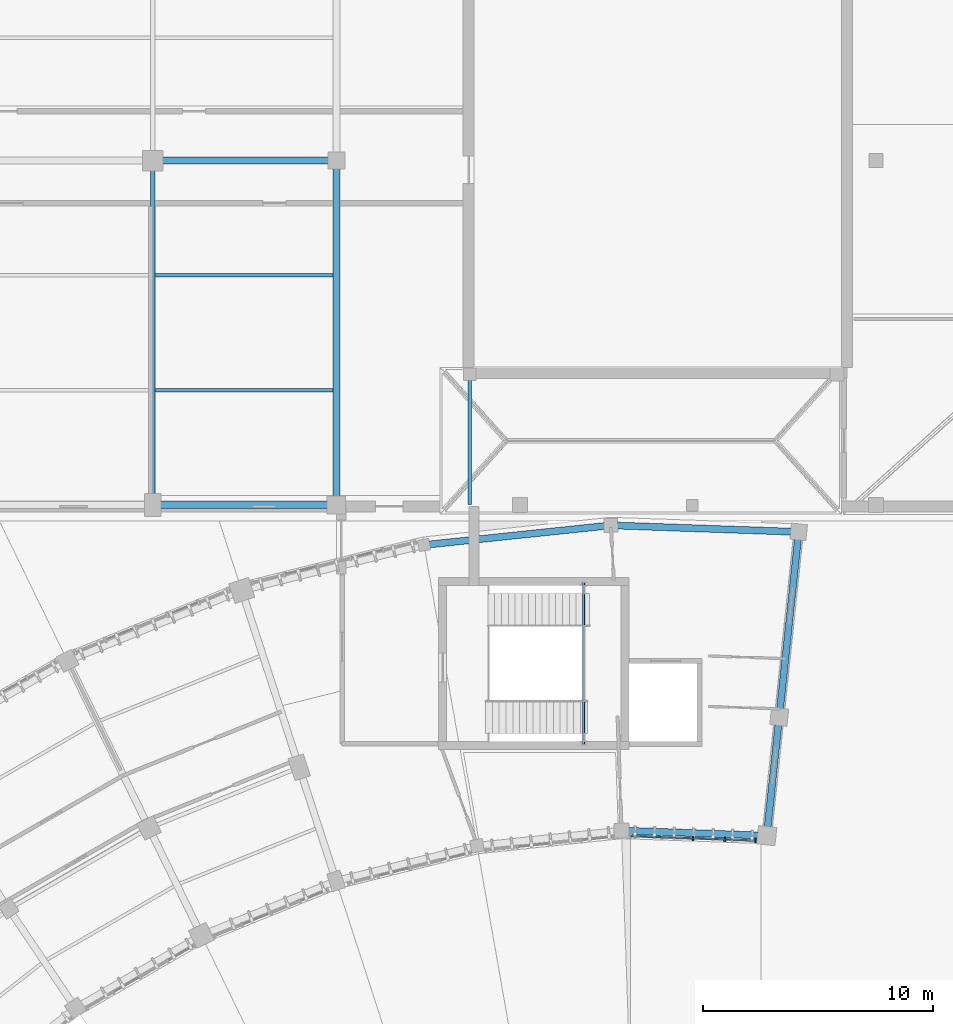
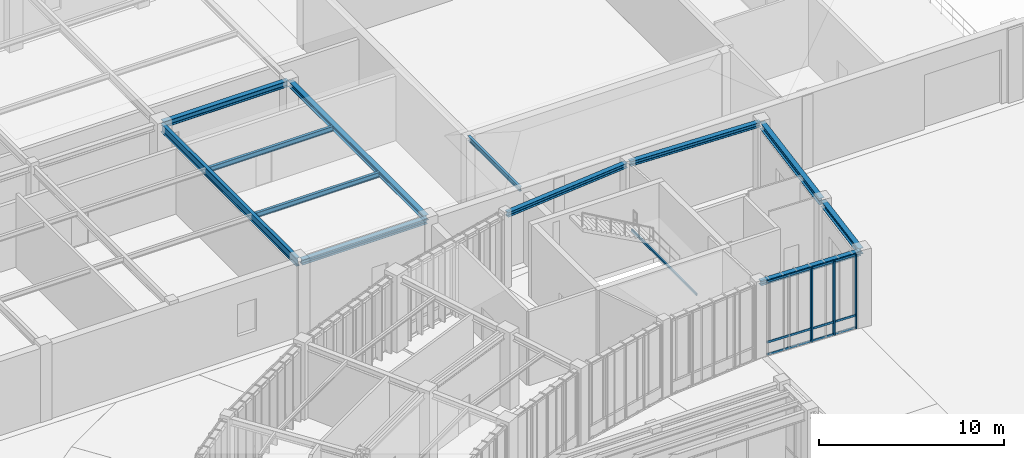
# One storey, part 18 of 68: 12 beams, 7 members, 1 element without a shape of its own.
"""IFC4 building model written with IfcOpenShell, lengths in metres."""

from ifc_helpers import new_model, si_unit, direction, frame, origin, origin_2d, place, context, subcontext, project, spatial, rectangle, hollow_rectangle, i_section, extrude, material, layer, layer_set, material_profile, profile_set, type_object, element, aggregate, save


model = new_model("IFC4")

# Units and contexts
model_context = context("Model", 3, precision=1e-05, world=origin(), true_north=direction((0.0, 1.0)))
body_context = subcontext(model_context, "Body", "Model", "MODEL_VIEW")
ifc_project = project(units=[si_unit("LENGTHUNIT", "METRE"), si_unit("AREAUNIT", "SQUARE_METRE"), si_unit("VOLUMEUNIT", "CUBIC_METRE"), si_unit("PLANEANGLEUNIT", "RADIAN"), si_unit("MASSUNIT", "GRAM", prefix="KILO"), si_unit("THERMODYNAMICTEMPERATUREUNIT", "KELVIN"), si_unit("POWERUNIT", "WATT")], contexts=[model_context])

# Site, building, storey
site_placement = place(None, origin())
site = spatial("IfcSite", under=ifc_project, at=site_placement, CompositionType="ELEMENT")
building_placement = place(site_placement, origin())
building = spatial("IfcBuilding", under=site, at=building_placement, Name="Solvatero Civic Police Headquarters", CompositionType="ELEMENT")
storey_placement = place(building_placement, origin())
storey = spatial("IfcBuildingStorey", under=building, at=storey_placement, Name="L00", CompositionType="ELEMENT", Elevation=0.0)

# Beams
ifc_material_1 = material(Name="Steel S355", Category="steel")
ifc_material_profile_1 = material_profile(ifc_material_1, i_section(OverallWidth=0.300048828125, OverallDepth=0.2900390625, WebThickness=0.008544921875, FlangeThickness=0.013916015625, FilletRadius=0.027099609375, at=origin_2d()), Name="HEA 300")
ifc_profile_set_1 = profile_set([ifc_material_profile_1], Name="Steel S355")
beam_type_1 = type_object("IfcBeamType", Name="BM-ST-HEA300", PredefinedType="SPANDREL", material=ifc_profile_set_1)
beam_1_placement = place(storey_placement, frame((98.640380859375, 71.10498046875, 4.735107421875), z_axis=(-0.999390615504, 0.034905553175, 0.0), x_axis=(-0.034905553175, -0.999390615504, 0.0)))
element("IfcBeam", 1, at=beam_1_placement, inside=storey, type_object=beam_type_1, Name="Perimeter / radial spandrel beam BM-R2-L00-ARC-CIN-B01", PredefinedType="SPANDREL", context=body_context, shape_type="SweptSolid", body=[
    extrude(i_section(OverallWidth=0.300048828125, OverallDepth=0.2900390625, WebThickness=0.008544921875, FlangeThickness=0.013916015625, FilletRadius=0.027099609375, at=origin_2d()), origin(), (0.0, 0.0, 1.0), 6.126953125),
])
ifc_material_profile_2 = material_profile(ifc_material_1, i_section(OverallWidth=0.300048828125, OverallDepth=0.31005859375, WebThickness=0.009033203125, FlangeThickness=0.015380859375, FilletRadius=0.027099609375, at=origin_2d()), Name="HEA 320")
ifc_profile_set_2 = profile_set([ifc_material_profile_2], Name="Steel S355")
beam_type_2 = type_object("IfcBeamType", Name="BM-ST-HEA320", PredefinedType="SPANDREL", material=ifc_profile_set_2)
beam_2_placement = place(storey_placement, frame((100.03076171875, 84.332275390625, 4.72509765625), z_axis=(-0.999390940069, 0.034896259223, 0.0), x_axis=(-0.034896259223, -0.999390940069, 0.0)))
element("IfcBeam", 2, at=beam_2_placement, inside=storey, type_object=beam_type_2, Name="Perimeter / radial spandrel beam BM-R2-L00-ARC-COUT-B01", PredefinedType="SPANDREL", context=body_context, shape_type="SweptSolid", body=[
    extrude(i_section(OverallWidth=0.300048828125, OverallDepth=0.31005859375, WebThickness=0.009033203125, FlangeThickness=0.015380859375, FilletRadius=0.027099609375, at=origin_2d()), origin(), (0.0, 0.0, 1.0), 7.982666015625),
])
beam_3_placement = place(storey_placement, frame((91.853515625, 84.603759765625, 4.72509765625), z_axis=(-0.994523705386, -0.10451124066, 0.0), x_axis=(0.10451124066, -0.994523705386, 0.0)))
element("IfcBeam", 3, at=beam_3_placement, inside=storey, type_object=beam_type_2, Name="Perimeter / radial spandrel beam BM-R2-L00-ARC-COUT-B02", PredefinedType="SPANDREL", context=body_context, shape_type="SweptSolid", body=[
    extrude(i_section(OverallWidth=0.300048828125, OverallDepth=0.31005859375, WebThickness=0.009033203125, FlangeThickness=0.015380859375, FilletRadius=0.027099609375, at=origin_2d()), origin(), (0.0, 0.0, 1.0), 7.982177734375),
])
ifc_material_profile_3 = material_profile(ifc_material_1, i_section(OverallWidth=0.300048828125, OverallDepth=0.35009765625, WebThickness=0.010009765625, FlangeThickness=0.017578125, FilletRadius=0.027099609375, at=origin_2d()), Name="HEA 360")
ifc_profile_set_3 = profile_set([ifc_material_profile_3], Name="Steel S355")
beam_type_3 = type_object("IfcBeamType", Name="BM-ST-HEA360", PredefinedType="SPANDREL", material=ifc_profile_set_3)
beam_4_placement = place(storey_placement, frame((72.10009765625, 85.5, 4.68505859375), z_axis=(1.0, 0.0, 0.0), x_axis=(0.0, 1.0, 0.0)))
element("IfcBeam", 4, at=beam_4_placement, inside=storey, type_object=beam_type_3, Name="Perimeter / radial spandrel beam BM-R2-L00-V7-GX-6-1", PredefinedType="SPANDREL", context=body_context, shape_type="SweptSolid", body=[
    extrude(i_section(OverallWidth=0.300048828125, OverallDepth=0.35009765625, WebThickness=0.010009765625, FlangeThickness=0.017578125, FilletRadius=0.027099609375, at=origin_2d()), origin(), (0.0, 0.0, 1.0), 7.7998046875),
])
beam_5_placement = place(storey_placement, frame((80.0, 85.659912109375, 4.68505859375), z_axis=(0.0, 1.0, 0.0), x_axis=(-1.0, 0.0, 0.0)))
element("IfcBeam", 5, at=beam_5_placement, inside=storey, type_object=beam_type_3, Name="Perimeter / radial spandrel beam BM-R2-L00-V7-GY-7-1", PredefinedType="SPANDREL", context=body_context, shape_type="SweptSolid", body=[
    extrude(i_section(OverallWidth=0.300048828125, OverallDepth=0.35009765625, WebThickness=0.010009765625, FlangeThickness=0.017578125, FilletRadius=0.027099609375, at=origin_2d()), origin(), (0.0, 0.0, 1.0), 14.68017578125),
])
ifc_material_profile_4 = material_profile(ifc_material_1, i_section(OverallWidth=0.300048828125, OverallDepth=0.389892578125, WebThickness=0.010986328125, FlangeThickness=0.01904296875, FilletRadius=0.027099609375, at=origin_2d()), Name="HEA 400")
ifc_profile_set_4 = profile_set([ifc_material_profile_4], Name="Steel S355")
beam_type_4 = type_object("IfcBeamType", Name="BM-ST-HEA400", PredefinedType="BEAM", material=ifc_profile_set_4)
beam_6_placement = place(storey_placement, frame((98.7509765625, 71.201171875, 4.68505859375), z_axis=(0.104496685935, 0.994525234787, 0.0), x_axis=(-0.994525234787, 0.104496685935, 0.0)))
element("IfcBeam", 6, at=beam_6_placement, inside=storey, type_object=beam_type_4, Name="Primary girder BM-R2-L00-ARC-RAD1-S00", PredefinedType="BEAM", context=body_context, shape_type="SweptSolid", body=[
    extrude(i_section(OverallWidth=0.300048828125, OverallDepth=0.389892578125, WebThickness=0.010986328125, FlangeThickness=0.01904296875, FilletRadius=0.027099609375, at=origin_2d()), origin(), (0.0, 0.0, 1.0), 4.999755859375),
])
ifc_material_profile_5 = material_profile(ifc_material_1, i_section(OverallWidth=0.300048828125, OverallDepth=0.43994140625, WebThickness=0.011474609375, FlangeThickness=0.02099609375, FilletRadius=0.027099609375, at=origin_2d()), Name="HEA 450")
ifc_profile_set_5 = profile_set([ifc_material_profile_5], Name="Steel S355")
beam_type_5 = type_object("IfcBeamType", Name="BM-ST-HEA450", PredefinedType="BEAM", material=ifc_profile_set_5)
beam_7_placement = place(storey_placement, frame((99.29443359375, 76.37255859375, 4.659912109375), z_axis=(0.104517477854, 0.99452304992, 0.0), x_axis=(-0.99452304992, 0.104517477854, 0.0)))
element("IfcBeam", 7, at=beam_7_placement, inside=storey, type_object=beam_type_5, Name="Primary girder BM-R2-L00-ARC-RAD2-S00", PredefinedType="BEAM", context=body_context, shape_type="SweptSolid", body=[
    extrude(i_section(OverallWidth=0.300048828125, OverallDepth=0.43994140625, WebThickness=0.011474609375, FlangeThickness=0.02099609375, FilletRadius=0.027099609375, at=origin_2d()), origin(), (0.0, 0.0, 1.0), 7.89990234375),
])
ifc_material_profile_6 = material_profile(ifc_material_1, i_section(OverallWidth=0.300048828125, OverallDepth=0.39990234375, WebThickness=0.013427734375, FlangeThickness=0.02392578125, FilletRadius=0.027099609375, at=origin_2d()), Name="HEB 400")
ifc_profile_set_6 = profile_set([ifc_material_profile_6], Name="Steel S355")
beam_type_6 = type_object("IfcBeamType", Name="BM-ST-HEB400", PredefinedType="BEAM", material=ifc_profile_set_6)
beam_8_placement = place(storey_placement, frame((72.10009765625, 100.5, 4.659912109375), z_axis=(1.0, 0.0, 0.0), x_axis=(0.0, 1.0, 0.0)))
element("IfcBeam", 8, at=beam_8_placement, inside=storey, type_object=beam_type_6, Name="Primary girder BM-R2-L00-V7-GX-6-2", PredefinedType="BEAM", context=body_context, shape_type="SweptSolid", body=[
    extrude(i_section(OverallWidth=0.300048828125, OverallDepth=0.39990234375, WebThickness=0.013427734375, FlangeThickness=0.02392578125, FilletRadius=0.027099609375, at=origin_2d()), origin(), (0.0, 0.0, 1.0), 7.7998046875),
])
ifc_material_profile_7 = material_profile(ifc_material_1, i_section(OverallWidth=0.14990234375, OverallDepth=0.300048828125, WebThickness=0.007080078125, FlangeThickness=0.0107421875, FilletRadius=0.014892578125, at=origin_2d()), Name="IPE 300")
ifc_profile_set_7 = profile_set([ifc_material_profile_7], Name="Steel S355")
beam_type_7 = type_object("IfcBeamType", Name="BM-ST-IPE300", PredefinedType="BEAM", material=ifc_profile_set_7)
beam_9_placement = place(storey_placement, frame((85.800048828125, 85.52001953125, 4.639892578125), z_axis=(0.0, 1.0, 0.0), x_axis=(-1.0, 0.0, 0.0)))
element("IfcBeam", 9, at=beam_9_placement, inside=storey, type_object=beam_type_7, Name="Composite floor beam BM-R2-L00-CUSYS-W", PredefinedType="BEAM", context=body_context, shape_type="SweptSolid", body=[
    extrude(i_section(OverallWidth=0.14990234375, OverallDepth=0.300048828125, WebThickness=0.007080078125, FlangeThickness=0.0107421875, FilletRadius=0.014892578125, at=origin_2d()), origin(), (0.0, 0.0, 1.0), 5.60009765625),
])
ifc_material_profile_8 = material_profile(ifc_material_1, i_section(OverallWidth=0.159912109375, OverallDepth=0.330078125, WebThickness=0.007568359375, FlangeThickness=0.011474609375, FilletRadius=0.01806640625, at=origin_2d()), Name="IPE 330")
ifc_profile_set_8 = profile_set([ifc_material_profile_8], Name="Steel S355")
beam_type_8 = type_object("IfcBeamType", Name="BM-ST-IPE330", PredefinedType="BEAM", material=ifc_profile_set_8)
for number, where, z_axis, x_axis, name in (
    (10, (72.10498046875, 90.5, 4.695068359375), (1.0, 0.0, 0.0), (0.0, 1.0, 0.0), "Composite floor beam BM-R2-L00-V7-SEC-6-1-S1"),
    (11, (72.10498046875, 95.5, 4.695068359375), (1.0, 0.0, 0.0), (0.0, 1.0, 0.0), "Composite floor beam BM-R2-L00-V7-SEC-6-1-S2"),
):
    element("IfcBeam", number, at=place(storey_placement, frame(where, z_axis=z_axis, x_axis=x_axis)), inside=storey, type_object=beam_type_8, Name=name, PredefinedType="BEAM", context=body_context, shape_type="SweptSolid", body=[
        extrude(i_section(OverallWidth=0.159912109375, OverallDepth=0.330078125, WebThickness=0.007568359375, FlangeThickness=0.011474609375, FilletRadius=0.01806640625, at=origin_2d()), origin(), (0.0, 0.0, 1.0), 7.7451171875),
    ])
ifc_material_profile_9 = material_profile(ifc_material_1, i_section(OverallWidth=0.2099609375, OverallDepth=0.550048828125, WebThickness=0.010986328125, FlangeThickness=0.01708984375, FilletRadius=0.02392578125, at=origin_2d()), Name="IPE 550")
ifc_profile_set_9 = profile_set([ifc_material_profile_9], Name="Steel S355")
beam_type_9 = type_object("IfcBeamType", Name="BM-ST-IPE550", PredefinedType="BEAM", material=ifc_profile_set_9)
beam_10_placement = place(storey_placement, frame((72.0, 85.659912109375, 4.5849609375), z_axis=(0.0, 1.0, 0.0), x_axis=(-1.0, 0.0, 0.0)))
element("IfcBeam", 12, at=beam_10_placement, inside=storey, type_object=beam_type_9, Name="Primary girder BM-R2-L00-V7-GY-6-1", PredefinedType="BEAM", context=body_context, shape_type="SweptSolid", body=[
    extrude(i_section(OverallWidth=0.2099609375, OverallDepth=0.550048828125, WebThickness=0.010986328125, FlangeThickness=0.01708984375, FilletRadius=0.02392578125, at=origin_2d()), origin(), (0.0, 0.0, 1.0), 14.68017578125),
])

# Curtain wall, members
ifc_material_2 = material(Name="Anodized Bronze Aluminium", Category="aluminium")
ifc_layer = layer(ifc_material_2, 0.179931640625)
ifc_layer_set = layer_set([ifc_layer], Name="Anodized Bronze Aluminium")
curtain_wall_type = type_object("IfcCurtainWallType", Name="CW-ARC-IN", PredefinedType="USERDEFINED", material=ifc_layer_set)
curtain_wall_placement = place(storey_placement, origin())
curtain_wall = element("IfcCurtainWall", 13, at=curtain_wall_placement, inside=storey, type_object=curtain_wall_type, Name="Curtain Wall CW-R2-L00-ARC-IN-B01", ObjectType="UNITISED", PredefinedType="USERDEFINED")
ifc_material_profile_10 = material_profile(ifc_material_2, rectangle(XDim=0.070068359375, YDim=0.199951171875, at=origin_2d()), Name="ALU MULLION 70x200")
ifc_profile_set_10 = profile_set([ifc_material_profile_10], Name="Anodized Bronze Aluminium")
member_type_1 = type_object("IfcMemberType", Name="CWM-220x80", PredefinedType="MULLION", material=ifc_profile_set_10)
member_1_placement = place(storey_placement, frame((98.252685546875, 70.888916015625, 0.0), z_axis=(0.0, 0.0, 1.0), x_axis=(-0.999390827019, 0.034899496703, 0.0)))
member_1 = element("IfcMember", 14, at=member_1_placement, type_object=member_type_1, Name="CW-R2-L00-ARC-IN-B01 Mullion 1", PredefinedType="MULLION", context=body_context, shape_type="SweptSolid", body=[
    extrude(rectangle(XDim=0.070068359375, YDim=0.199951171875, at=origin_2d()), origin(), (0.0, 0.0, 1.0), 4.8798828125),
])
member_2_placement = place(storey_placement, frame((96.9130859375, 70.935791015625, 0.0), z_axis=(0.0, 0.0, 1.0), x_axis=(-0.999390827019, 0.034899496703, 0.0)))
member_2 = element("IfcMember", 15, at=member_2_placement, type_object=member_type_1, Name="CW-R2-L00-ARC-IN-B01 Mullion 2", PredefinedType="MULLION", context=body_context, shape_type="SweptSolid", body=[
    extrude(rectangle(XDim=0.070068359375, YDim=0.199951171875, at=origin_2d()), origin(), (0.0, 0.0, 1.0), 4.8798828125),
])
member_3_placement = place(storey_placement, frame((95.533447265625, 70.98388671875, 0.0), z_axis=(0.0, 0.0, 1.0), x_axis=(-0.999390827019, 0.034899496703, 0.0)))
member_3 = element("IfcMember", 16, at=member_3_placement, type_object=member_type_1, Name="CW-R2-L00-ARC-IN-B01 Mullion 3", PredefinedType="MULLION", context=body_context, shape_type="SweptSolid", body=[
    extrude(rectangle(XDim=0.070068359375, YDim=0.199951171875, at=origin_2d()), origin(), (0.0, 0.0, 1.0), 4.8798828125),
])
ifc_material_profile_11 = material_profile(ifc_material_2, rectangle(XDim=0.06494140625, YDim=0.139892578125, at=origin_2d()), Name="ALU TRANSOM 65x140")
ifc_profile_set_11 = profile_set([ifc_material_profile_11], Name="Anodized Bronze Aluminium")
member_type_2 = type_object("IfcMemberType", Name="CWT-180x70", PredefinedType="USERDEFINED", material=ifc_profile_set_11)
member_4_placement = place(storey_placement, frame((98.24267578125, 70.889404296875, 0.0400390625), z_axis=(-0.999390876582, 0.034898077379, 0.0), x_axis=(-0.034898077379, -0.999390876582, 0.0)))
member_4 = element("IfcMember", 17, at=member_4_placement, type_object=member_type_2, Name="CW-R2-L00-ARC-IN-B01 Transom 1", ObjectType="TRANSOM", PredefinedType="USERDEFINED", context=body_context, shape_type="SweptSolid", body=[
    extrude(rectangle(XDim=0.06494140625, YDim=0.139892578125, at=origin_2d()), origin(), (0.0, 0.0, 1.0), 5.421875),
])
member_5_placement = place(storey_placement, frame((98.24267578125, 70.889404296875, 0.85009765625), z_axis=(-0.999390876582, 0.034898077379, 0.0), x_axis=(-0.034898077379, -0.999390876582, 0.0)))
member_5 = element("IfcMember", 18, at=member_5_placement, type_object=member_type_2, Name="CW-R2-L00-ARC-IN-B01 Transom 2", ObjectType="TRANSOM", PredefinedType="USERDEFINED", context=body_context, shape_type="SweptSolid", body=[
    extrude(rectangle(XDim=0.06494140625, YDim=0.139892578125, at=origin_2d()), origin(), (0.0, 0.0, 1.0), 5.421875),
])
member_6_placement = place(storey_placement, frame((98.24267578125, 70.889404296875, 4.840087890625), z_axis=(-0.999390876582, 0.034898077379, 0.0), x_axis=(-0.034898077379, -0.999390876582, 0.0)))
member_6 = element("IfcMember", 19, at=member_6_placement, type_object=member_type_2, Name="CW-R2-L00-ARC-IN-B01 Transom 3", ObjectType="TRANSOM", PredefinedType="USERDEFINED", context=body_context, shape_type="SweptSolid", body=[
    extrude(rectangle(XDim=0.06494140625, YDim=0.139892578125, at=origin_2d()), origin(), (0.0, 0.0, 1.0), 5.421875),
])
aggregate(curtain_wall, [member_1, member_2, member_3, member_4, member_5, member_6])

# Member
ifc_material_profile_12 = material_profile(ifc_material_1, hollow_rectangle(XDim=0.10009765625, YDim=0.14990234375, WallThickness=0.00634765625, InnerFilletRadius=0.00634765625, OuterFilletRadius=0.0126953125, at=origin_2d()), Name="RHS 150x100x6.3")
ifc_profile_set_12 = profile_set([ifc_material_profile_12], Name="Steel S355")
member_type_3 = type_object("IfcMemberType", Name="MB-BR-RHS150", PredefinedType="BRACE", material=ifc_profile_set_12)
member_7_placement = place(storey_placement, frame((90.764892578125, 75.080078125, 2.27490234375), z_axis=(0.0, 1.0, 0.0), x_axis=(-1.0, 0.0, 0.0)))
element("IfcMember", 20, at=member_7_placement, inside=storey, type_object=member_type_3, Name="ST-C3 L00 Landing Support Beam", PredefinedType="BRACE", context=body_context, shape_type="SweptSolid", body=[
    extrude(hollow_rectangle(XDim=0.10009765625, YDim=0.14990234375, WallThickness=0.00634765625, InnerFilletRadius=0.00634765625, OuterFilletRadius=0.0126953125, at=origin_2d()), origin(), (0.0, 0.0, 1.0), 7.0400390625),
])

save(model, "model.ifc")
